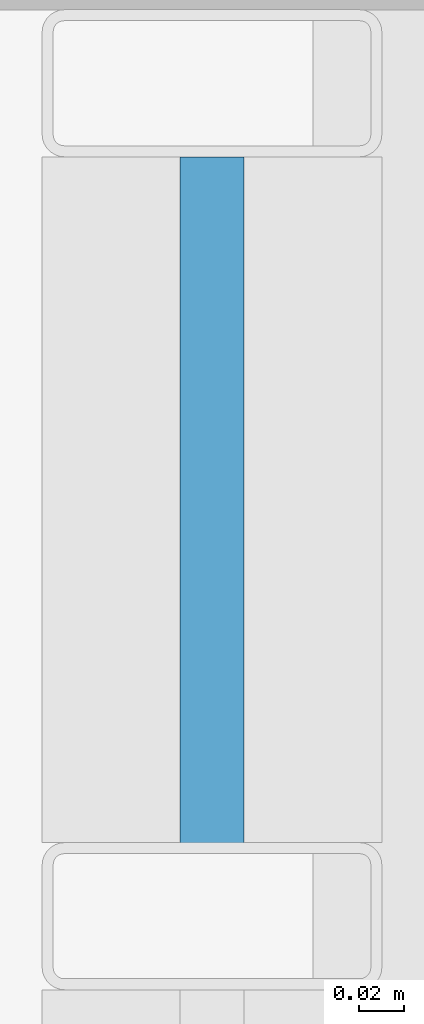
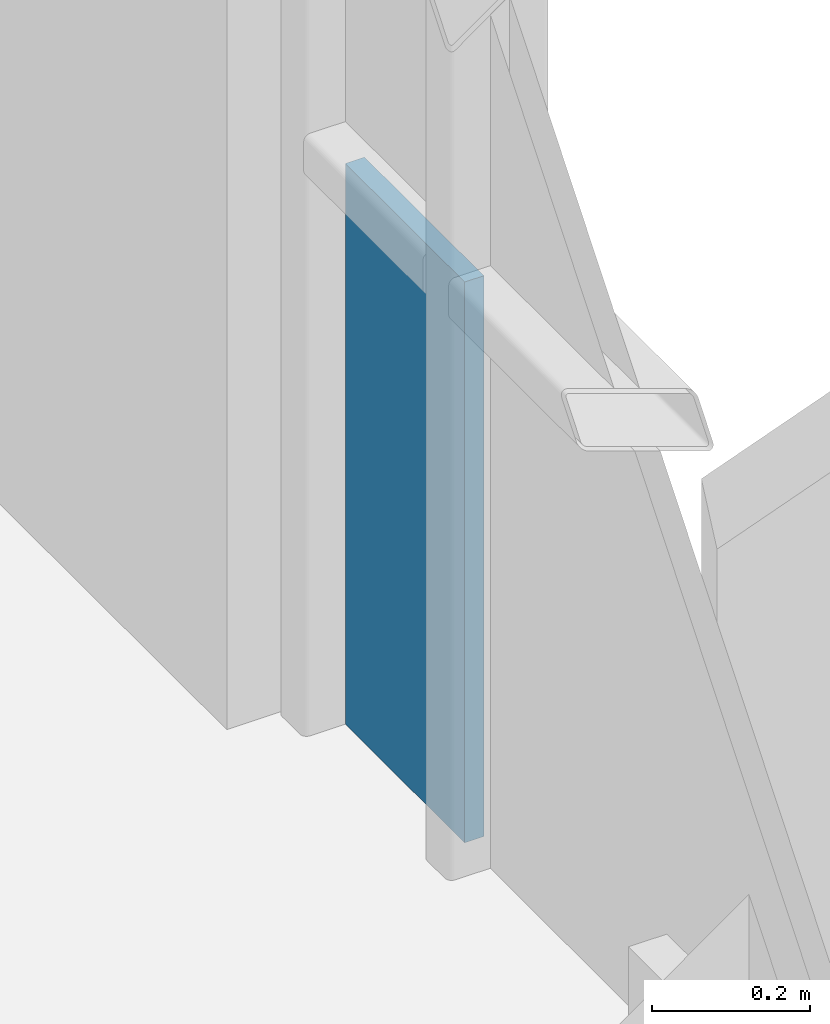
# One storey, part 26 of 39: 1 plate, 1 element without a shape of its own.
"""IFC4 building model written with IfcOpenShell, lengths in metres."""

from ifc_helpers import new_model, si_unit, direction, frame, origin, origin_2d, place, context, subcontext, project, spatial, rectangle, extrude, material, layer, layer_set, type_object, element, aggregate, save


model = new_model("IFC4")

# Units and contexts
model_context = context("Model", 3, precision=1e-05, world=origin(), true_north=direction((0.0, 1.0)))
body_context = subcontext(model_context, "Body", "Model", "MODEL_VIEW")
ifc_project = project(units=[si_unit("LENGTHUNIT", "METRE"), si_unit("AREAUNIT", "SQUARE_METRE"), si_unit("VOLUMEUNIT", "CUBIC_METRE"), si_unit("PLANEANGLEUNIT", "RADIAN"), si_unit("MASSUNIT", "GRAM", prefix="KILO")], contexts=[model_context])

# Site, building, storey
site_placement = place(None, origin())
site = spatial("IfcSite", under=ifc_project, at=site_placement, CompositionType="ELEMENT")
building_placement = place(site_placement, origin())
building = spatial("IfcBuilding", under=site, at=building_placement, Name="Brevholm Reach", CompositionType="ELEMENT")
storey_placement = place(building_placement, frame((0.0, 0.0, 83.800048828125)))
storey = spatial("IfcBuildingStorey", under=building, at=storey_placement, Name="L24", CompositionType="ELEMENT", Elevation=83.800048828125)

# Curtain wall, plate
ifc_material_1 = material(Name="Dark Anodised Aluminium 6063-T6 and Solar-Control Glass", Category="aluminium")
ifc_layer_1 = layer(ifc_material_1, 0.14990234375)
ifc_layer_set_1 = layer_set([ifc_layer_1], Name="Dark Anodised Aluminium 6063-T6 and Solar-Control Glass")
curtain_wall_type = type_object("IfcCurtainWallType", Name="CW-01", PredefinedType="NOTDEFINED", material=ifc_layer_set_1)
curtain_wall_placement = place(storey_placement, origin())
curtain_wall = element("IfcCurtainWall", 1, at=curtain_wall_placement, inside=storey, type_object=curtain_wall_type, Name="L24 Curtain Wall CW-01", PredefinedType="NOTDEFINED")
ifc_material_2 = material(Name="Dark Solar-Control Double-Glazed IGU Glass", Category="glass")
ifc_layer_2 = layer(ifc_material_2, 0.028076171875)
ifc_layer_set_2 = layer_set([ifc_layer_2], Name="Dark Solar-Control Double-Glazed IGU Glass")
plate_type = type_object("IfcPlateType", Name="CWP-GLZ-28", PredefinedType="CURTAIN_PANEL", material=ifc_layer_set_2)
plate_placement = place(storey_placement, frame((59.85009765625, 22.733642578125, 0.0), z_axis=(0.0, 0.0, 1.0), x_axis=(0.0, 1.0, 0.0)))
plate = element("IfcPlate", 2, at=plate_placement, type_object=plate_type, Name="CP-01 Glazing Panel 5.1", PredefinedType="CURTAIN_PANEL", context=body_context, shape_type="SweptSolid", body=[
    extrude(rectangle(XDim=0.302490234375, YDim=0.028076171875, at=origin_2d()), origin(), (0.0, 0.0, 1.0), 0.867431640625),
])
aggregate(curtain_wall, [plate])

save(model, "model.ifc")
